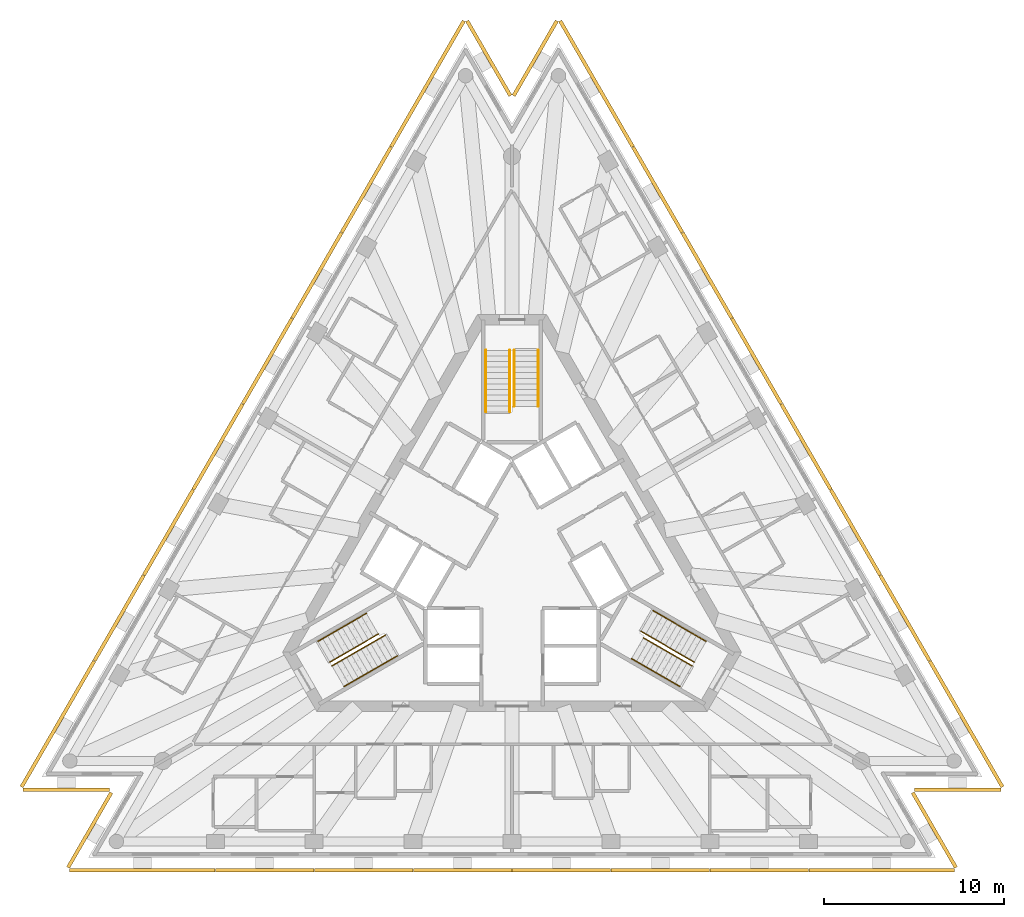
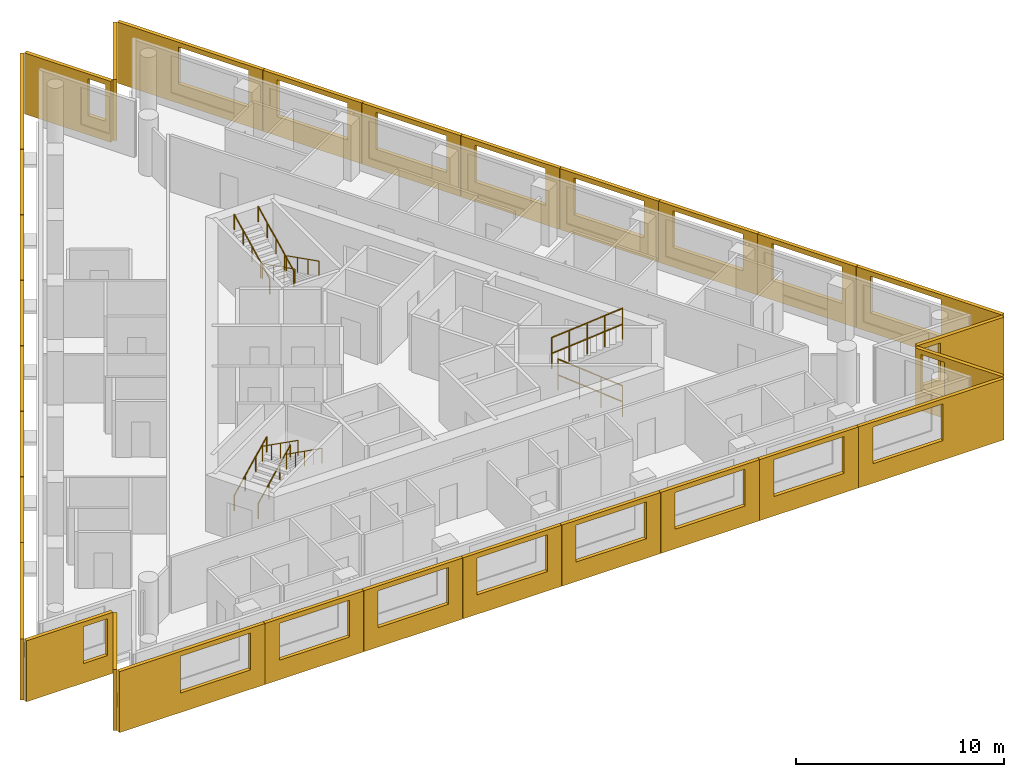
# One storey, part 9 of 9: 30 shading devices, 12 railings, 3 elements without a shape of their own.
"""IFC4 building model written with IfcOpenShell, lengths in metres."""

from ifc_helpers import new_model, si_unit, direction, frame, origin, origin_2d, place, context, subcontext, project, spatial, polyline, circle, outline, extrude, material, layer, layer_set, type_object, element, aggregate, save


model = new_model("IFC4")

# Units and contexts
model_context = context("Model", 3, precision=1e-05, world=origin(), true_north=direction((0.0, 1.0)))
body_context = subcontext(model_context, "Body", "Model", "MODEL_VIEW")
ifc_project = project(units=[si_unit("LENGTHUNIT", "METRE"), si_unit("AREAUNIT", "SQUARE_METRE"), si_unit("VOLUMEUNIT", "CUBIC_METRE"), si_unit("PLANEANGLEUNIT", "RADIAN"), si_unit("MASSUNIT", "GRAM", prefix="KILO")], contexts=[model_context])

# Site, building, storey
site_placement = place(None, origin())
site = spatial("IfcSite", under=ifc_project, at=site_placement, CompositionType="ELEMENT")
building_placement = place(site_placement, origin())
building = spatial("IfcBuilding", under=site, at=building_placement, Name="Triada Interchange Tower", CompositionType="ELEMENT")
storey_placement = place(building_placement, frame((0.0, 0.0, 279.10009765625)))
storey = spatial("IfcBuildingStorey", under=building, at=storey_placement, Name="L65", CompositionType="ELEMENT", Elevation=279.10009765625)

# Shading devices
ifc_material_1 = material(Name="Concrete C50/60 precast", Category="concrete")
ifc_layer_1 = layer(ifc_material_1, 0.02001953125, Name="Exposed aggregate face")
ifc_layer_2 = layer(ifc_material_1, 0.179931640625, Name="Precast concrete screen")
ifc_layer_set = layer_set([ifc_layer_1, ifc_layer_2], Name="Outer skin screen panel 3580")
shading_device_type = type_object("IfcShadingDeviceType", Name="Outer skin screen panel 3580", PredefinedType="SHUTTER", material=ifc_layer_set)
shading_device_1_placement = place(storey_placement, frame((-2.5859375, 29.8291015625, -0.2900390625), z_axis=(0.0, 0.0, 1.0), x_axis=(-0.500009794523, -0.86601974884, 0.0)))
element("IfcShadingDevice", 1, at=shading_device_1_placement, inside=storey, type_object=shading_device_type, Name="Outer skin screen panel L65 01", PredefinedType="SHUTTER", context=body_context, shape_type="SweptSolid", body=[
    extrude(outline(polyline([(0.0, 0.0), (8.065673828125, 0.0), (8.065673828125, 3.579833984375), (0.0, 3.579833984375), (0.0, 0.0)]), holes=[polyline([(3.381591796875, 1.139892578125), (3.381591796875, 3.300048828125), (7.281494140625, 3.300048828125), (7.281494140625, 1.139892578125), (3.381591796875, 1.139892578125)])]), frame((0.0, 0.0, 0.0), z_axis=(0.0, -1.0, 0.0), x_axis=(1.0, 0.0, 0.0)), (0.0, 0.0, 1.0), 0.199951171875),
])
for number, where, z_axis, x_axis, name in (
    (2, (-6.62890625, 22.826904296875, -0.2900390625), (0.0, 0.0, 1.0), (-0.499985249434, -0.86603391986, 0.0), "Outer skin screen panel L65 02"),
    (3, (-9.373046875, 18.073974609375, -0.2900390625), (0.0, 0.0, 1.0), (-0.499932432864, -0.866064410174, 0.0), "Outer skin screen panel L65 03"),
):
    element("IfcShadingDevice", number, at=place(storey_placement, frame(where, z_axis=z_axis, x_axis=x_axis)), inside=storey, type_object=shading_device_type, Name=name, PredefinedType="SHUTTER", context=body_context, shape_type="SweptSolid", body=[
        extrude(outline(polyline([(0.0, 0.0), (5.468505859375, 0.0), (5.468505859375, 3.579833984375), (0.0, 3.579833984375), (0.0, 0.0)]), holes=[polyline([(0.783447265625, 1.139892578125), (0.783447265625, 3.300048828125), (4.68359375, 3.300048828125), (4.68359375, 1.139892578125), (0.783447265625, 1.139892578125)])]), frame((0.0, 0.0, 0.0), z_axis=(0.0, -1.0, 0.0), x_axis=(1.0, 0.0, 0.0)), (0.0, 0.0, 1.0), 0.199951171875),
    ])
for number, where, z_axis, x_axis, name in (
    (4, (-12.116943359375, 13.321044921875, -0.2900390625), (0.0, 0.0, 1.0), (-0.500043250139, -0.866000431865, 0.0), "Outer skin screen panel L65 04"),
    (5, (-14.861083984375, 8.568115234375, -0.2900390625), (0.0, 0.0, 1.0), (-0.50000976292, -0.866019767087, 0.0), "Outer skin screen panel L65 05"),
):
    element("IfcShadingDevice", number, at=place(storey_placement, frame(where, z_axis=z_axis, x_axis=x_axis)), inside=storey, type_object=shading_device_type, Name=name, PredefinedType="SHUTTER", context=body_context, shape_type="SweptSolid", body=[
        extrude(outline(polyline([(0.0, 0.0), (5.4677734375, 0.0), (5.4677734375, 3.579833984375), (0.0, 3.579833984375), (0.0, 0.0)]), holes=[polyline([(0.783447265625, 1.139892578125), (0.783447265625, 3.300048828125), (4.68359375, 3.300048828125), (4.68359375, 1.139892578125), (0.783447265625, 1.139892578125)])]), frame((0.0, 0.0, 0.0), z_axis=(0.0, -1.0, 0.0), x_axis=(1.0, 0.0, 0.0)), (0.0, 0.0, 1.0), 0.199951171875),
    ])
for number, where, z_axis, x_axis, name in (
    (6, (-17.60498046875, 3.81591796875, -0.2900390625), (0.0, 0.0, 1.0), (-0.499985249434, -0.86603391986, 0.0), "Outer skin screen panel L65 06"),
    (7, (-20.34912109375, -0.93701171875, -0.2900390625), (0.0, 0.0, 1.0), (-0.499932432864, -0.866064410174, 0.0), "Outer skin screen panel L65 07"),
):
    element("IfcShadingDevice", number, at=place(storey_placement, frame(where, z_axis=z_axis, x_axis=x_axis)), inside=storey, type_object=shading_device_type, Name=name, PredefinedType="SHUTTER", context=body_context, shape_type="SweptSolid", body=[
        extrude(outline(polyline([(0.0, 0.0), (5.468505859375, 0.0), (5.468505859375, 3.579833984375), (0.0, 3.579833984375), (0.0, 0.0)]), holes=[polyline([(0.783447265625, 1.139892578125), (0.783447265625, 3.300048828125), (4.68359375, 3.300048828125), (4.68359375, 1.139892578125), (0.783447265625, 1.139892578125)])]), frame((0.0, 0.0, 0.0), z_axis=(0.0, -1.0, 0.0), x_axis=(1.0, 0.0, 0.0)), (0.0, 0.0, 1.0), 0.199951171875),
    ])
shading_device_2_placement = place(storey_placement, frame((-23.093017578125, -5.68994140625, -0.2900390625), z_axis=(0.0, 0.0, 1.0), x_axis=(-0.500009794523, -0.86601974884, 0.0)))
element("IfcShadingDevice", 8, at=shading_device_2_placement, inside=storey, type_object=shading_device_type, Name="Outer skin screen panel L65 08", PredefinedType="SHUTTER", context=body_context, shape_type="SweptSolid", body=[
    extrude(outline(polyline([(0.0, 0.0), (8.065673828125, 0.0), (8.065673828125, 3.579833984375), (0.0, 3.579833984375), (0.0, 0.0)]), holes=[polyline([(0.783447265625, 1.139892578125), (0.783447265625, 3.300048828125), (4.68359375, 3.300048828125), (4.68359375, 1.139892578125), (0.783447265625, 1.139892578125)])]), frame((0.0, 0.0, 0.0), z_axis=(0.0, -1.0, 0.0), x_axis=(1.0, 0.0, 0.0)), (0.0, 0.0, 1.0), 0.199951171875),
])
shading_device_3_placement = place(storey_placement, frame((-27.12109375, -12.68408203125, -0.2900390625), z_axis=(0.0, 0.0, 1.0), x_axis=(1.0, 0.0, 0.0)))
element("IfcShadingDevice", 9, at=shading_device_3_placement, inside=storey, type_object=shading_device_type, Name="Outer skin screen panel L65 09", PredefinedType="SHUTTER", context=body_context, shape_type="SweptSolid", body=[
    extrude(outline(polyline([(0.0, 0.0), (4.795166015625, 0.0), (4.795166015625, 3.579833984375), (0.0, 3.579833984375), (0.0, 0.0)]), holes=[polyline([(3.175048828125, 1.139892578125), (3.175048828125, 3.300048828125), (4.4951171875, 3.300048828125), (4.4951171875, 1.139892578125), (3.175048828125, 1.139892578125)])]), frame((0.0, 0.0, 0.0), z_axis=(0.0, -1.0, 0.0), x_axis=(1.0, 0.0, 0.0)), (0.0, 0.0, 1.0), 0.199951171875),
])
shading_device_4_placement = place(storey_placement, frame((-22.14794921875, -12.991943359375, -0.2900390625), z_axis=(0.0, 0.0, 1.0), x_axis=(-0.499873775192, -0.866098267447, 0.0)))
element("IfcShadingDevice", 10, at=shading_device_4_placement, inside=storey, type_object=shading_device_type, Name="Outer skin screen panel L65 10", PredefinedType="SHUTTER", context=body_context, shape_type="SweptSolid", body=[
    extrude(outline(polyline([(0.0, 0.0), (4.795166015625, 0.0), (4.795166015625, 3.579833984375), (0.0, 3.579833984375), (0.0, 0.0)]), holes=[polyline([(0.300048828125, 1.139892578125), (0.300048828125, 3.300048828125), (1.258544921875, 3.300048828125), (1.258544921875, 1.139892578125), (0.300048828125, 1.139892578125)])]), frame((0.0, 0.0, 0.0), z_axis=(0.0, -1.0, 0.0), x_axis=(1.0, 0.0, 0.0)), (0.0, 0.0, 1.0), 0.199951171875),
])
shading_device_5_placement = place(storey_placement, frame((-24.5400390625, -17.154052734375, -0.2900390625), z_axis=(0.0, 0.0, 1.0), x_axis=(1.0, 0.0, 0.0)))
element("IfcShadingDevice", 11, at=shading_device_5_placement, inside=storey, type_object=shading_device_type, Name="Outer skin screen panel L65 11", PredefinedType="SHUTTER", context=body_context, shape_type="SweptSolid", body=[
    extrude(outline(polyline([(0.0, 0.0), (8.06591796875, 0.0), (8.06591796875, 3.579833984375), (0.0, 3.579833984375), (0.0, 0.0)]), holes=[polyline([(3.382080078125, 1.139892578125), (3.382080078125, 3.300048828125), (7.281982421875, 3.300048828125), (7.281982421875, 1.139892578125), (3.382080078125, 1.139892578125)])]), frame((0.0, 0.0, 0.0), z_axis=(0.0, -1.0, 0.0), x_axis=(1.0, 0.0, 0.0)), (0.0, 0.0, 1.0), 0.199951171875),
])
for number, where, z_axis, x_axis, name in (
    (12, (-16.4541015625, -17.154052734375, -0.2900390625), (0.0, 0.0, 1.0), (1.0, 0.0, 0.0), "Outer skin screen panel L65 12"),
    (13, (-10.966064453125, -17.154052734375, -0.2900390625), (0.0, 0.0, 1.0), (1.0, 0.0, 0.0), "Outer skin screen panel L65 13"),
    (14, (-5.47802734375, -17.154052734375, -0.2900390625), (0.0, 0.0, 1.0), (1.0, 0.0, 0.0), "Outer skin screen panel L65 14"),
    (15, (0.010009765625, -17.154052734375, -0.2900390625), (0.0, 0.0, 1.0), (1.0, 0.0, 0.0), "Outer skin screen panel L65 15"),
    (16, (5.498046875, -17.154052734375, -0.2900390625), (0.0, 0.0, 1.0), (1.0, 0.0, 0.0), "Outer skin screen panel L65 16"),
    (17, (10.986083984375, -17.154052734375, -0.2900390625), (0.0, 0.0, 1.0), (1.0, 0.0, 0.0), "Outer skin screen panel L65 17"),
):
    element("IfcShadingDevice", number, at=place(storey_placement, frame(where, z_axis=z_axis, x_axis=x_axis)), inside=storey, type_object=shading_device_type, Name=name, PredefinedType="SHUTTER", context=body_context, shape_type="SweptSolid", body=[
        extrude(outline(polyline([(0.0, 0.0), (5.468017578125, 0.0), (5.468017578125, 3.579833984375), (0.0, 3.579833984375), (0.0, 0.0)]), holes=[polyline([(0.783935546875, 1.139892578125), (0.783935546875, 3.300048828125), (4.68408203125, 3.300048828125), (4.68408203125, 1.139892578125), (0.783935546875, 1.139892578125)])]), frame((0.0, 0.0, 0.0), z_axis=(0.0, -1.0, 0.0), x_axis=(1.0, 0.0, 0.0)), (0.0, 0.0, 1.0), 0.199951171875),
    ])
shading_device_6_placement = place(storey_placement, frame((16.47412109375, -17.154052734375, -0.2900390625), z_axis=(0.0, 0.0, 1.0), x_axis=(1.0, 0.0, 0.0)))
element("IfcShadingDevice", 18, at=shading_device_6_placement, inside=storey, type_object=shading_device_type, Name="Outer skin screen panel L65 18", PredefinedType="SHUTTER", context=body_context, shape_type="SweptSolid", body=[
    extrude(outline(polyline([(0.0, 0.0), (8.06591796875, 0.0), (8.06591796875, 3.579833984375), (0.0, 3.579833984375), (0.0, 0.0)]), holes=[polyline([(0.783935546875, 1.139892578125), (0.783935546875, 3.300048828125), (4.68408203125, 3.300048828125), (4.68408203125, 1.139892578125), (0.783935546875, 1.139892578125)])]), frame((0.0, 0.0, 0.0), z_axis=(0.0, -1.0, 0.0), x_axis=(1.0, 0.0, 0.0)), (0.0, 0.0, 1.0), 0.199951171875),
])
shading_device_7_placement = place(storey_placement, frame((24.544921875, -17.14501953125, -0.2900390625), z_axis=(0.0, 0.0, 1.0), x_axis=(-0.499873775192, 0.866098267447, 0.0)))
element("IfcShadingDevice", 19, at=shading_device_7_placement, inside=storey, type_object=shading_device_type, Name="Outer skin screen panel L65 19", PredefinedType="SHUTTER", context=body_context, shape_type="SweptSolid", body=[
    extrude(outline(polyline([(0.0, 0.0), (4.795166015625, 0.0), (4.795166015625, 3.579833984375), (0.0, 3.579833984375), (0.0, 0.0)]), holes=[polyline([(3.17529296875, 1.139892578125), (3.17529296875, 3.300048828125), (4.4951171875, 3.300048828125), (4.4951171875, 1.139892578125), (3.17529296875, 1.139892578125)])]), frame((0.0, 0.0, 0.0), z_axis=(0.0, -1.0, 0.0), x_axis=(1.0, 0.0, 0.0)), (0.0, 0.0, 1.0), 0.199951171875),
])
shading_device_8_placement = place(storey_placement, frame((22.325927734375, -12.68408203125, -0.2900390625), z_axis=(0.0, 0.0, 1.0), x_axis=(1.0, 0.0, 0.0)))
element("IfcShadingDevice", 20, at=shading_device_8_placement, inside=storey, type_object=shading_device_type, Name="Outer skin screen panel L65 20", PredefinedType="SHUTTER", context=body_context, shape_type="SweptSolid", body=[
    extrude(outline(polyline([(0.0, 0.0), (4.795166015625, 0.0), (4.795166015625, 3.579833984375), (0.0, 3.579833984375), (0.0, 0.0)]), holes=[polyline([(0.300048828125, 1.139892578125), (0.300048828125, 3.300048828125), (1.259033203125, 3.300048828125), (1.259033203125, 1.139892578125), (0.300048828125, 1.139892578125)])]), frame((0.0, 0.0, 0.0), z_axis=(0.0, -1.0, 0.0), x_axis=(1.0, 0.0, 0.0)), (0.0, 0.0, 1.0), 0.199951171875),
])
shading_device_9_placement = place(storey_placement, frame((27.1259765625, -12.675048828125, -0.2900390625), z_axis=(0.0, 0.0, 1.0), x_axis=(-0.500009794523, 0.86601974884, 0.0)))
element("IfcShadingDevice", 21, at=shading_device_9_placement, inside=storey, type_object=shading_device_type, Name="Outer skin screen panel L65 21", PredefinedType="SHUTTER", context=body_context, shape_type="SweptSolid", body=[
    extrude(outline(polyline([(0.0, 0.0), (8.065673828125, 0.0), (8.065673828125, 3.579833984375), (0.0, 3.579833984375), (0.0, 0.0)]), holes=[polyline([(3.38232421875, 1.139892578125), (3.38232421875, 3.300048828125), (7.2822265625, 3.300048828125), (7.2822265625, 1.139892578125), (3.38232421875, 1.139892578125)])]), frame((0.0, 0.0, 0.0), z_axis=(0.0, -1.0, 0.0), x_axis=(1.0, 0.0, 0.0)), (0.0, 0.0, 1.0), 0.199951171875),
])
for number, where, z_axis, x_axis, name in (
    (22, (23.0830078125, -5.673095703125, -0.2900390625), (0.0, 0.0, 1.0), (-0.499932432864, 0.866064410174, 0.0), "Outer skin screen panel L65 22"),
    (23, (20.339111328125, -0.919921875, -0.2900390625), (0.0, 0.0, 1.0), (-0.499985249434, 0.86603391986, 0.0), "Outer skin screen panel L65 23"),
):
    element("IfcShadingDevice", number, at=place(storey_placement, frame(where, z_axis=z_axis, x_axis=x_axis)), inside=storey, type_object=shading_device_type, Name=name, PredefinedType="SHUTTER", context=body_context, shape_type="SweptSolid", body=[
        extrude(outline(polyline([(0.0, 0.0), (5.468505859375, 0.0), (5.468505859375, 3.579833984375), (0.0, 3.579833984375), (0.0, 0.0)]), holes=[polyline([(0.7841796875, 1.139892578125), (0.7841796875, 3.300048828125), (4.68408203125, 3.300048828125), (4.68408203125, 1.139892578125), (0.7841796875, 1.139892578125)])]), frame((0.0, 0.0, 0.0), z_axis=(0.0, -1.0, 0.0), x_axis=(1.0, 0.0, 0.0)), (0.0, 0.0, 1.0), 0.199951171875),
    ])
for number, where, z_axis, x_axis, name in (
    (24, (17.594970703125, 3.8330078125, -0.2900390625), (0.0, 0.0, 1.0), (-0.50000976292, 0.866019767087, 0.0), "Outer skin screen panel L65 24"),
    (25, (14.85107421875, 8.5859375, -0.2900390625), (0.0, 0.0, 1.0), (-0.500043250139, 0.866000431865, 0.0), "Outer skin screen panel L65 25"),
):
    element("IfcShadingDevice", number, at=place(storey_placement, frame(where, z_axis=z_axis, x_axis=x_axis)), inside=storey, type_object=shading_device_type, Name=name, PredefinedType="SHUTTER", context=body_context, shape_type="SweptSolid", body=[
        extrude(outline(polyline([(0.0, 0.0), (5.4677734375, 0.0), (5.4677734375, 3.579833984375), (0.0, 3.579833984375), (0.0, 0.0)]), holes=[polyline([(0.7841796875, 1.139892578125), (0.7841796875, 3.300048828125), (4.68408203125, 3.300048828125), (4.68408203125, 1.139892578125), (0.7841796875, 1.139892578125)])]), frame((0.0, 0.0, 0.0), z_axis=(0.0, -1.0, 0.0), x_axis=(1.0, 0.0, 0.0)), (0.0, 0.0, 1.0), 0.199951171875),
    ])
for number, where, z_axis, x_axis, name in (
    (26, (12.10693359375, 13.337890625, -0.2900390625), (0.0, 0.0, 1.0), (-0.499932432864, 0.866064410174, 0.0), "Outer skin screen panel L65 26"),
    (27, (9.363037109375, 18.091064453125, -0.2900390625), (0.0, 0.0, 1.0), (-0.499985249434, 0.86603391986, 0.0), "Outer skin screen panel L65 27"),
):
    element("IfcShadingDevice", number, at=place(storey_placement, frame(where, z_axis=z_axis, x_axis=x_axis)), inside=storey, type_object=shading_device_type, Name=name, PredefinedType="SHUTTER", context=body_context, shape_type="SweptSolid", body=[
        extrude(outline(polyline([(0.0, 0.0), (5.468505859375, 0.0), (5.468505859375, 3.579833984375), (0.0, 3.579833984375), (0.0, 0.0)]), holes=[polyline([(0.7841796875, 1.139892578125), (0.7841796875, 3.300048828125), (4.68408203125, 3.300048828125), (4.68408203125, 1.139892578125), (0.7841796875, 1.139892578125)])]), frame((0.0, 0.0, 0.0), z_axis=(0.0, -1.0, 0.0), x_axis=(1.0, 0.0, 0.0)), (0.0, 0.0, 1.0), 0.199951171875),
    ])
shading_device_10_placement = place(storey_placement, frame((6.618896484375, 22.843994140625, -0.2900390625), z_axis=(0.0, 0.0, 1.0), x_axis=(-0.500009794523, 0.86601974884, 0.0)))
element("IfcShadingDevice", 28, at=shading_device_10_placement, inside=storey, type_object=shading_device_type, Name="Outer skin screen panel L65 28", PredefinedType="SHUTTER", context=body_context, shape_type="SweptSolid", body=[
    extrude(outline(polyline([(0.0, 0.0), (8.065673828125, 0.0), (8.065673828125, 3.579833984375), (0.0, 3.579833984375), (0.0, 0.0)]), holes=[polyline([(0.7841796875, 1.139892578125), (0.7841796875, 3.300048828125), (4.68408203125, 3.300048828125), (4.68408203125, 1.139892578125), (0.7841796875, 1.139892578125)])]), frame((0.0, 0.0, 0.0), z_axis=(0.0, -1.0, 0.0), x_axis=(1.0, 0.0, 0.0)), (0.0, 0.0, 1.0), 0.199951171875),
])
shading_device_11_placement = place(storey_placement, frame((2.575927734375, 29.8291015625, -0.2900390625), z_axis=(0.0, 0.0, 1.0), x_axis=(-0.500202931043, -0.865908209787, 0.0)))
element("IfcShadingDevice", 29, at=shading_device_11_placement, inside=storey, type_object=shading_device_type, Name="Outer skin screen panel L65 29", PredefinedType="SHUTTER", context=body_context, shape_type="SweptSolid", body=[
    extrude(outline(polyline([(0.0, 0.0), (4.7939453125, 0.0), (4.7939453125, 3.579833984375), (0.0, 3.579833984375), (0.0, 0.0)]), holes=[polyline([(3.175537109375, 1.139892578125), (3.175537109375, 3.300048828125), (4.494384765625, 3.300048828125), (4.494384765625, 1.139892578125), (3.175537109375, 1.139892578125)])]), frame((0.0, 0.0, 0.0), z_axis=(0.0, -1.0, 0.0), x_axis=(1.0, 0.0, 0.0)), (0.0, 0.0, 1.0), 0.199951171875),
])
shading_device_12_placement = place(storey_placement, frame((-0.177978515625, 25.677978515625, -0.2900390625), z_axis=(0.0, 0.0, 1.0), x_axis=(-0.500202931043, 0.865908209787, 0.0)))
element("IfcShadingDevice", 30, at=shading_device_12_placement, inside=storey, type_object=shading_device_type, Name="Outer skin screen panel L65 30", PredefinedType="SHUTTER", context=body_context, shape_type="SweptSolid", body=[
    extrude(outline(polyline([(0.0, 0.0), (4.7939453125, 0.0), (4.7939453125, 3.579833984375), (0.0, 3.579833984375), (0.0, 0.0)]), holes=[polyline([(0.300048828125, 1.139892578125), (0.300048828125, 3.300048828125), (1.258056640625, 3.300048828125), (1.258056640625, 1.139892578125), (0.300048828125, 1.139892578125)])]), frame((0.0, 0.0, 0.0), z_axis=(0.0, -1.0, 0.0), x_axis=(1.0, 0.0, 0.0)), (0.0, 0.0, 1.0), 0.199951171875),
])

# Stair, railings
ifc_material_2 = material(Name="Concrete C35/45", Category="concrete")
stair_type = type_object("IfcStairType", Name="HALF TURN STAIR 1400", PredefinedType="HALF_TURN_STAIR", material=ifc_material_2)
stair_1_placement = place(storey_placement, origin())
stair_1 = element("IfcStair", 31, at=stair_1_placement, inside=storey, type_object=stair_type, Name="Exit stair S65-1", PredefinedType="HALF_TURN_STAIR")
ifc_material_3 = material(Name="Stainless steel 1.4301", Category="steel")
railing_type = type_object("IfcRailingType", Name="STAIR HANDRAIL 900", PredefinedType="HANDRAIL", material=ifc_material_3)
railing_1_placement = place(storey_placement, frame((1.449951171875, 11.60009765625, 0.156494140625)))
railing_1 = element("IfcRailing", 32, at=railing_1_placement, type_object=railing_type, Name="Handrail S65-1 1W", PredefinedType="HANDRAIL", context=body_context, shape_type="SweptSolid", body=[
    extrude(circle(Radius=0.02392578125, at=origin_2d()), frame((0.0, 0.0, 0.8759765625), z_axis=(0.0, -0.89267693942, 0.450697106522), x_axis=(1.0, 0.0, 0.0)), (0.0, 0.0, 1.0), 3.472900390625),
    extrude(circle(Radius=0.02099609375, at=origin_2d()), origin(), (0.0, 0.0, 1.0), 0.851806640625),
    extrude(circle(Radius=0.02099609375, at=origin_2d()), frame((0.0, -1.033447265625, 0.521728515625)), (0.0, 0.0, 1.0), 0.851806640625),
    extrude(circle(Radius=0.02099609375, at=origin_2d()), frame((0.0, -2.066650390625, 1.04345703125)), (0.0, 0.0, 1.0), 0.851806640625),
    extrude(circle(Radius=0.02099609375, at=origin_2d()), frame((0.0, -3.10009765625, 1.565185546875)), (0.0, 0.0, 1.0), 0.851806640625),
])
railing_2_placement = place(storey_placement, frame((0.1201171875, 11.60009765625, 0.156494140625)))
railing_2 = element("IfcRailing", 33, at=railing_2_placement, type_object=railing_type, Name="Handrail S65-1 1C", PredefinedType="HANDRAIL", context=body_context, shape_type="SweptSolid", body=[
    extrude(circle(Radius=0.02392578125, at=origin_2d()), frame((0.0, 0.0, 0.8759765625), z_axis=(0.0, -0.89267693942, 0.450697106522), x_axis=(1.0, 0.0, 0.0)), (0.0, 0.0, 1.0), 3.472900390625),
    extrude(circle(Radius=0.02099609375, at=origin_2d()), origin(), (0.0, 0.0, 1.0), 0.851806640625),
    extrude(circle(Radius=0.02099609375, at=origin_2d()), frame((0.0, -1.033447265625, 0.521728515625)), (0.0, 0.0, 1.0), 0.851806640625),
    extrude(circle(Radius=0.02099609375, at=origin_2d()), frame((0.0, -2.066650390625, 1.04345703125)), (0.0, 0.0, 1.0), 0.851806640625),
    extrude(circle(Radius=0.02099609375, at=origin_2d()), frame((0.0, -3.10009765625, 1.565185546875)), (0.0, 0.0, 1.0), 0.851806640625),
])
railing_3_placement = place(storey_placement, frame((-1.449951171875, 8.18994140625, 1.878173828125)))
railing_3 = element("IfcRailing", 34, at=railing_3_placement, type_object=railing_type, Name="Handrail S65-1 2W", PredefinedType="HANDRAIL", context=body_context, shape_type="SweptSolid", body=[
    extrude(circle(Radius=0.02392578125, at=origin_2d()), frame((0.0, 0.0, 0.8759765625), z_axis=(0.0, 0.892682106939, 0.450686871287), x_axis=(-1.0, 0.0, 0.0)), (0.0, 0.0, 1.0), 3.820068359375),
    extrude(circle(Radius=0.02099609375, at=origin_2d()), origin(), (0.0, 0.0, 1.0), 0.851806640625),
    extrude(circle(Radius=0.02099609375, at=origin_2d()), frame((0.0, 0.8525390625, 0.430419921875)), (0.0, 0.0, 1.0), 0.851806640625),
    extrude(circle(Radius=0.02099609375, at=origin_2d()), frame((0.0, 1.705078125, 0.86083984375)), (0.0, 0.0, 1.0), 0.851806640625),
    extrude(circle(Radius=0.02099609375, at=origin_2d()), frame((0.0, 2.5576171875, 1.291259765625)), (0.0, 0.0, 1.0), 0.851806640625),
    extrude(circle(Radius=0.02099609375, at=origin_2d()), frame((0.0, 3.41015625, 1.7216796875)), (0.0, 0.0, 1.0), 0.851806640625),
])
railing_4_placement = place(storey_placement, frame((-0.1201171875, 8.18994140625, 1.878173828125)))
railing_4 = element("IfcRailing", 35, at=railing_4_placement, type_object=railing_type, Name="Handrail S65-1 2C", PredefinedType="HANDRAIL", context=body_context, shape_type="SweptSolid", body=[
    extrude(circle(Radius=0.02392578125, at=origin_2d()), frame((0.0, 0.0, 0.8759765625), z_axis=(0.0, 0.892682106939, 0.450686871287), x_axis=(-1.0, 0.0, 0.0)), (0.0, 0.0, 1.0), 3.820068359375),
    extrude(circle(Radius=0.02099609375, at=origin_2d()), origin(), (0.0, 0.0, 1.0), 0.851806640625),
    extrude(circle(Radius=0.02099609375, at=origin_2d()), frame((0.0, 0.8525390625, 0.430419921875)), (0.0, 0.0, 1.0), 0.851806640625),
    extrude(circle(Radius=0.02099609375, at=origin_2d()), frame((0.0, 1.705078125, 0.86083984375)), (0.0, 0.0, 1.0), 0.851806640625),
    extrude(circle(Radius=0.02099609375, at=origin_2d()), frame((0.0, 2.5576171875, 1.291259765625)), (0.0, 0.0, 1.0), 0.851806640625),
    extrude(circle(Radius=0.02099609375, at=origin_2d()), frame((0.0, 3.41015625, 1.7216796875)), (0.0, 0.0, 1.0), 0.851806640625),
])
aggregate(stair_1, [railing_1, railing_2, railing_3, railing_4])

stair_2_placement = place(storey_placement, origin())
stair_2 = element("IfcStair", 36, at=stair_2_placement, inside=storey, type_object=stair_type, Name="Exit stair S65-2", PredefinedType="HALF_TURN_STAIR")
railing_5_placement = place(storey_placement, frame((-10.77099609375, -4.5439453125, 0.156494140625)))
railing_5 = element("IfcRailing", 37, at=railing_5_placement, type_object=railing_type, Name="Handrail S65-2 1W", PredefinedType="HANDRAIL", context=body_context, shape_type="SweptSolid", body=[
    extrude(circle(Radius=0.02392578125, at=origin_2d()), frame((0.0, 0.0, 0.8759765625), z_axis=(0.773115112249, 0.446309133267, 0.4506674836), x_axis=(-0.499958760481, 0.866049212123, 0.0)), (0.0, 0.0, 1.0), 3.47314453125),
    extrude(circle(Radius=0.02099609375, at=origin_2d()), origin(), (0.0, 0.0, 1.0), 0.851806640625),
    extrude(circle(Radius=0.02099609375, at=origin_2d()), frame((0.89501953125, 0.5166015625, 0.521728515625)), (0.0, 0.0, 1.0), 0.851806640625),
    extrude(circle(Radius=0.02099609375, at=origin_2d()), frame((1.7900390625, 1.033447265625, 1.04345703125)), (0.0, 0.0, 1.0), 0.851806640625),
    extrude(circle(Radius=0.02099609375, at=origin_2d()), frame((2.68505859375, 1.550048828125, 1.565185546875)), (0.0, 0.0, 1.0), 0.851806640625),
])
railing_6_placement = place(storey_placement, frame((-10.10595703125, -5.696044921875, 0.156494140625)))
railing_6 = element("IfcRailing", 38, at=railing_6_placement, type_object=railing_type, Name="Handrail S65-2 1C", PredefinedType="HANDRAIL", context=body_context, shape_type="SweptSolid", body=[
    extrude(circle(Radius=0.02392578125, at=origin_2d()), frame((0.0, 0.0, 0.8759765625), z_axis=(0.773115112249, 0.446309133267, 0.4506674836), x_axis=(-0.499958760481, 0.866049212123, 0.0)), (0.0, 0.0, 1.0), 3.47314453125),
    extrude(circle(Radius=0.02099609375, at=origin_2d()), origin(), (0.0, 0.0, 1.0), 0.851806640625),
    extrude(circle(Radius=0.02099609375, at=origin_2d()), frame((0.89501953125, 0.5166015625, 0.521728515625)), (0.0, 0.0, 1.0), 0.851806640625),
    extrude(circle(Radius=0.02099609375, at=origin_2d()), frame((1.7900390625, 1.033447265625, 1.04345703125)), (0.0, 0.0, 1.0), 0.851806640625),
    extrude(circle(Radius=0.02099609375, at=origin_2d()), frame((2.68505859375, 1.550048828125, 1.565185546875)), (0.0, 0.0, 1.0), 0.851806640625),
])
railing_7_placement = place(storey_placement, frame((-6.367919921875, -5.35107421875, 1.878173828125)))
railing_7 = element("IfcRailing", 39, at=railing_7_placement, type_object=railing_type, Name="Handrail S65-2 2W", PredefinedType="HANDRAIL", context=body_context, shape_type="SweptSolid", body=[
    extrude(circle(Radius=0.02392578125, at=origin_2d()), frame((0.0, 0.0, 0.8759765625), z_axis=(-0.773090904651, -0.446304049866, 0.450714042625), x_axis=(0.499966231165, -0.866044899352, 0.0)), (0.0, 0.0, 1.0), 3.81982421875),
    extrude(circle(Radius=0.02099609375, at=origin_2d()), origin(), (0.0, 0.0, 1.0), 0.851806640625),
    extrude(circle(Radius=0.02099609375, at=origin_2d()), frame((-0.73828125, -0.42626953125, 0.430419921875)), (0.0, 0.0, 1.0), 0.851806640625),
    extrude(circle(Radius=0.02099609375, at=origin_2d()), frame((-1.4765625, -0.8525390625, 0.86083984375)), (0.0, 0.0, 1.0), 0.851806640625),
    extrude(circle(Radius=0.02099609375, at=origin_2d()), frame((-2.21484375, -1.278564453125, 1.291259765625)), (0.0, 0.0, 1.0), 0.851806640625),
    extrude(circle(Radius=0.02099609375, at=origin_2d()), frame((-2.953125, -1.704833984375, 1.7216796875)), (0.0, 0.0, 1.0), 0.851806640625),
])
railing_8_placement = place(storey_placement, frame((-7.032958984375, -4.198974609375, 1.878173828125)))
railing_8 = element("IfcRailing", 40, at=railing_8_placement, type_object=railing_type, Name="Handrail S65-2 2C", PredefinedType="HANDRAIL", context=body_context, shape_type="SweptSolid", body=[
    extrude(circle(Radius=0.02392578125, at=origin_2d()), frame((0.0, 0.0, 0.8759765625), z_axis=(-0.773068851904, -0.446355229968, 0.450701185816), x_axis=(0.50001992892, -0.866013897511, 0.0)), (0.0, 0.0, 1.0), 3.820068359375),
    extrude(circle(Radius=0.02099609375, at=origin_2d()), origin(), (0.0, 0.0, 1.0), 0.851806640625),
    extrude(circle(Radius=0.02099609375, at=origin_2d()), frame((-0.73828125, -0.42626953125, 0.430419921875)), (0.0, 0.0, 1.0), 0.851806640625),
    extrude(circle(Radius=0.02099609375, at=origin_2d()), frame((-1.4765625, -0.8525390625, 0.86083984375)), (0.0, 0.0, 1.0), 0.851806640625),
    extrude(circle(Radius=0.02099609375, at=origin_2d()), frame((-2.21484375, -1.27880859375, 1.291259765625)), (0.0, 0.0, 1.0), 0.851806640625),
    extrude(circle(Radius=0.02099609375, at=origin_2d()), frame((-2.953125, -1.705078125, 1.7216796875)), (0.0, 0.0, 1.0), 0.851806640625),
])
aggregate(stair_2, [railing_5, railing_6, railing_7, railing_8])

stair_3_placement = place(storey_placement, origin())
stair_3 = element("IfcStair", 41, at=stair_3_placement, inside=storey, type_object=stair_type, Name="Exit stair S65-3", PredefinedType="HALF_TURN_STAIR")
railing_9_placement = place(storey_placement, frame((9.321044921875, -7.055908203125, 0.156494140625)))
railing_9 = element("IfcRailing", 42, at=railing_9_placement, type_object=railing_type, Name="Handrail S65-3 1W", PredefinedType="HANDRAIL", context=body_context, shape_type="SweptSolid", body=[
    extrude(circle(Radius=0.02392578125, at=origin_2d()), frame((0.0, 0.0, 0.8759765625), z_axis=(-0.773139366989, 0.446252837029, 0.450681622274), x_axis=(-0.499899694197, -0.866083307622, 0.0)), (0.0, 0.0, 1.0), 3.472900390625),
    extrude(circle(Radius=0.02099609375, at=origin_2d()), origin(), (0.0, 0.0, 1.0), 0.851806640625),
    extrude(circle(Radius=0.02099609375, at=origin_2d()), frame((-0.89501953125, 0.5166015625, 0.521728515625)), (0.0, 0.0, 1.0), 0.851806640625),
    extrude(circle(Radius=0.02099609375, at=origin_2d()), frame((-1.7900390625, 1.033203125, 1.04345703125)), (0.0, 0.0, 1.0), 0.851806640625),
    extrude(circle(Radius=0.02099609375, at=origin_2d()), frame((-2.68505859375, 1.5498046875, 1.565185546875)), (0.0, 0.0, 1.0), 0.851806640625),
])
railing_10_placement = place(storey_placement, frame((9.986083984375, -5.904052734375, 0.156494140625)))
railing_10 = element("IfcRailing", 43, at=railing_10_placement, type_object=railing_type, Name="Handrail S65-3 1C", PredefinedType="HANDRAIL", context=body_context, shape_type="SweptSolid", body=[
    extrude(circle(Radius=0.02392578125, at=origin_2d()), frame((0.0, 0.0, 0.8759765625), z_axis=(-0.773115112249, 0.446309133267, 0.4506674836), x_axis=(-0.499958760481, -0.866049212123, 0.0)), (0.0, 0.0, 1.0), 3.47314453125),
    extrude(circle(Radius=0.02099609375, at=origin_2d()), origin(), (0.0, 0.0, 1.0), 0.851806640625),
    extrude(circle(Radius=0.02099609375, at=origin_2d()), frame((-0.89501953125, 0.5166015625, 0.521728515625)), (0.0, 0.0, 1.0), 0.851806640625),
    extrude(circle(Radius=0.02099609375, at=origin_2d()), frame((-1.7900390625, 1.033447265625, 1.04345703125)), (0.0, 0.0, 1.0), 0.851806640625),
    extrude(circle(Radius=0.02099609375, at=origin_2d()), frame((-2.68505859375, 1.550048828125, 1.565185546875)), (0.0, 0.0, 1.0), 0.851806640625),
])
railing_11_placement = place(storey_placement, frame((7.818115234375, -2.839111328125, 1.878173828125)))
railing_11 = element("IfcRailing", 44, at=railing_11_placement, type_object=railing_type, Name="Handrail S65-3 2W", PredefinedType="HANDRAIL", context=body_context, shape_type="SweptSolid", body=[
    extrude(circle(Radius=0.02392578125, at=origin_2d()), frame((0.0, 0.0, 0.8759765625), z_axis=(0.773065188623, -0.4463261027, 0.450736313367), x_axis=(0.499997234054, 0.866027000698, 0.0)), (0.0, 0.0, 1.0), 3.81982421875),
    extrude(circle(Radius=0.02099609375, at=origin_2d()), origin(), (0.0, 0.0, 1.0), 0.851806640625),
    extrude(circle(Radius=0.02099609375, at=origin_2d()), frame((0.73828125, -0.42626953125, 0.430419921875)), (0.0, 0.0, 1.0), 0.851806640625),
    extrude(circle(Radius=0.02099609375, at=origin_2d()), frame((1.4765625, -0.8525390625, 0.86083984375)), (0.0, 0.0, 1.0), 0.851806640625),
    extrude(circle(Radius=0.02099609375, at=origin_2d()), frame((2.214599609375, -1.278564453125, 1.291259765625)), (0.0, 0.0, 1.0), 0.851806640625),
    extrude(circle(Radius=0.02099609375, at=origin_2d()), frame((2.952880859375, -1.704833984375, 1.7216796875)), (0.0, 0.0, 1.0), 0.851806640625),
])
railing_12_placement = place(storey_placement, frame((7.153076171875, -3.990966796875, 1.878173828125)))
railing_12 = element("IfcRailing", 45, at=railing_12_placement, type_object=railing_type, Name="Handrail S65-3 2C", PredefinedType="HANDRAIL", context=body_context, shape_type="SweptSolid", body=[
    extrude(circle(Radius=0.02392578125, at=origin_2d()), frame((0.0, 0.0, 0.8759765625), z_axis=(0.773043134431, -0.446377284073, 0.450723454651), x_axis=(0.500050932918, 0.865995995653, 0.0)), (0.0, 0.0, 1.0), 3.81982421875),
    extrude(circle(Radius=0.02099609375, at=origin_2d()), origin(), (0.0, 0.0, 1.0), 0.851806640625),
    extrude(circle(Radius=0.02099609375, at=origin_2d()), frame((0.73828125, -0.42626953125, 0.430419921875)), (0.0, 0.0, 1.0), 0.851806640625),
    extrude(circle(Radius=0.02099609375, at=origin_2d()), frame((1.4765625, -0.8525390625, 0.86083984375)), (0.0, 0.0, 1.0), 0.851806640625),
    extrude(circle(Radius=0.02099609375, at=origin_2d()), frame((2.214599609375, -1.27880859375, 1.291259765625)), (0.0, 0.0, 1.0), 0.851806640625),
    extrude(circle(Radius=0.02099609375, at=origin_2d()), frame((2.952880859375, -1.705078125, 1.7216796875)), (0.0, 0.0, 1.0), 0.851806640625),
])
aggregate(stair_3, [railing_9, railing_10, railing_11, railing_12])

save(model, "model.ifc")
